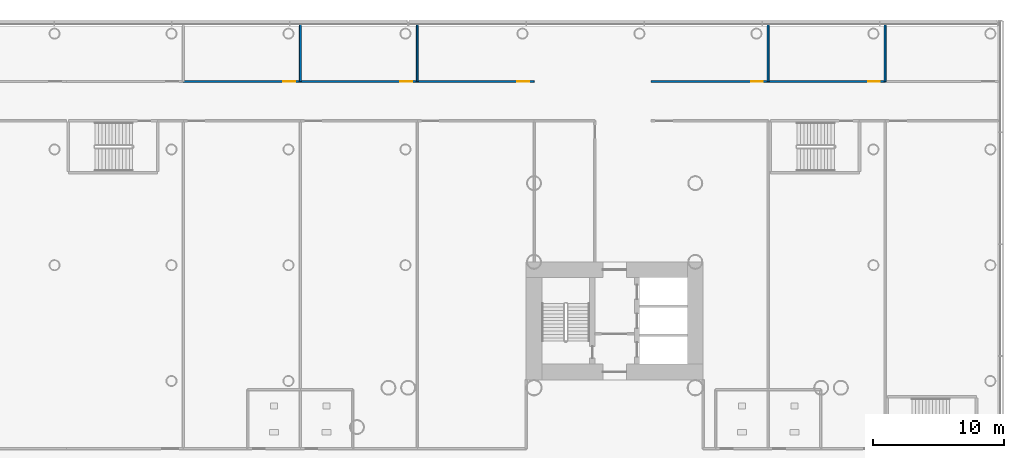
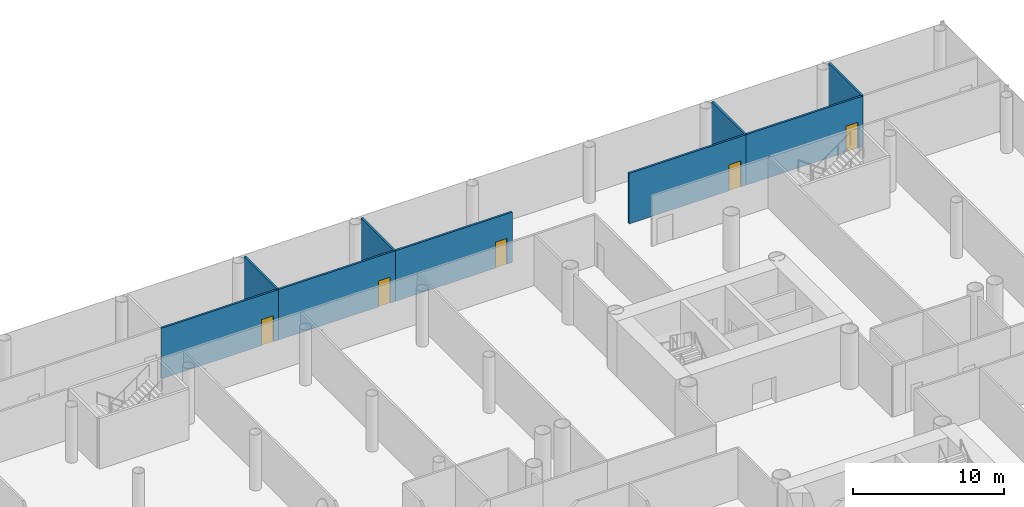
# One storey, part 25 of 51: 9 walls, 5 doors, 5 openings.
"""IFC4 building model written with IfcOpenShell, lengths in metres."""

from ifc_helpers import new_model, si_unit, direction, frame, frame_2d, origin, place, context, subcontext, project, spatial, rectangle, extrude, material, layer, layer_set, type_object, element, fill, save


model = new_model("IFC4")

# Units and contexts
model_context = context("Model", 3, precision=1e-05, world=origin(), true_north=direction((0.0, 1.0)))
body_context = subcontext(model_context, "Body", "Model", "MODEL_VIEW")
ifc_project = project(units=[si_unit("LENGTHUNIT", "METRE"), si_unit("AREAUNIT", "SQUARE_METRE"), si_unit("VOLUMEUNIT", "CUBIC_METRE"), si_unit("PLANEANGLEUNIT", "RADIAN"), si_unit("MASSUNIT", "GRAM", prefix="KILO")], contexts=[model_context])

# Site, building, storey
site_placement = place(None, origin())
site = spatial("IfcSite", under=ifc_project, at=site_placement, CompositionType="ELEMENT")
building_placement = place(site_placement, origin())
building = spatial("IfcBuilding", under=site, at=building_placement, Name="Ipe Terrace Towers", CompositionType="ELEMENT")
storey_placement = place(building_placement, frame((0.0, 0.0, 15.5)))
storey = spatial("IfcBuildingStorey", under=building, at=storey_placement, Name="L03", CompositionType="ELEMENT", Elevation=15.5)

# Wall, opening, door
ifc_material_1 = material(Name="Gypsum board partition", Category="plasterboard")
ifc_layer = layer(ifc_material_1, 0.14990234375)
ifc_layer_set = layer_set([ifc_layer], Name="Gypsum board partition 150 mm")
wall_type = type_object("IfcWallType", Name="Gypsum board partition 150 mm", PredefinedType="PARTITIONING", material=ifc_layer_set)
wall_1_placement = place(storey_placement, frame((12.030029296875, 29.5, 0.0), z_axis=(0.0, 0.0, 1.0), x_axis=(-1.0, 0.0, 0.0)))
wall_1 = element("IfcWall", 1, at=wall_1_placement, inside=storey, type_object=wall_type, Name="Gypsum board partition T2 L03 pd-r35-w18", PredefinedType="PARTITIONING", context=body_context, shape_type="SweptSolid", body=[
    extrude(rectangle(XDim=8.919921875, YDim=0.14990234375, at=frame_2d((4.4599609375, 0.0))), origin(), (0.0, 0.0, 1.0), 4.080078125),
])
opening_1_placement = place(wall_1_placement, frame((0.39990234375, 0.0, 0.0)))
opening_1 = element("IfcOpeningElement", 2, at=opening_1_placement, cuts=wall_1, Name="Opening PD-L03-r35", PredefinedType="OPENING", context=body_context, shape_type="SweptSolid", body=[
    extrude(rectangle(XDim=0.89990234375, YDim=2.10009765625, at=frame_2d((0.449951171875, 1.050048828125))), frame((0.0, 0.0849609375, 0.0), z_axis=(0.0, -1.0, 0.0), x_axis=(1.0, 0.0, 0.0)), (0.0, 0.0, 1.0), 0.169921875),
])
ifc_material_2 = material(Name="Fire-rated timber door leaf", Category="wood")
door_type = type_object("IfcDoorType", Name="Lounge door 900 x 2100 FD30S", OperationType="NOTDEFINED", PredefinedType="DOOR", material=ifc_material_2)
door_1_placement = place(opening_1_placement, origin())
door_1 = element("IfcDoor", 3, at=door_1_placement, inside=storey, type_object=door_type, Name="Lounge door PD-L03-r35", OperationType="SINGLE_SWING_RIGHT", OverallHeight=2.10009765625, OverallWidth=0.89990234375, PredefinedType="DOOR", context=body_context, shape_type="SweptSolid", body=[
    extrude(rectangle(XDim=0.89990234375, YDim=2.10009765625, at=frame_2d((0.449951171875, 1.050048828125))), frame((0.0, 0.02490234375, 0.0), z_axis=(0.0, -1.0, 0.0), x_axis=(1.0, 0.0, 0.0)), (0.0, 0.0, 1.0), 0.050048828125),
])
fill(opening_1, door_1)

# Wall
wall_2_placement = place(storey_placement, frame((12.030029296875, 33.85009765625, 0.0), z_axis=(0.0, 0.0, 1.0), x_axis=(0.0, -1.0, 0.0)))
element("IfcWall", 4, at=wall_2_placement, inside=storey, type_object=wall_type, Name="Gypsum board partition T2 L03 pd-r35-r38-w19", PredefinedType="PARTITIONING", context=body_context, shape_type="SweptSolid", body=[
    extrude(rectangle(XDim=4.35009765625, YDim=0.14990234375, at=frame_2d((2.175048828125, 0.0))), origin(), (0.0, 0.0, 1.0), 4.080078125),
])

# Wall, opening, door
wall_3_placement = place(storey_placement, frame((20.949951171875, 29.5, 0.0), z_axis=(0.0, 0.0, 1.0), x_axis=(-1.0, 0.0, 0.0)))
wall_3 = element("IfcWall", 5, at=wall_3_placement, inside=storey, type_object=wall_type, Name="Gypsum board partition T2 L03 pd-r38-w25", PredefinedType="PARTITIONING", context=body_context, shape_type="SweptSolid", body=[
    extrude(rectangle(XDim=8.919921875, YDim=0.14990234375, at=frame_2d((4.4599609375, 0.0))), origin(), (0.0, 0.0, 1.0), 4.080078125),
])
opening_2_placement = place(wall_3_placement, frame((0.39990234375, 0.0, 0.0)))
opening_2 = element("IfcOpeningElement", 6, at=opening_2_placement, cuts=wall_3, Name="Opening PD-L03-r38", PredefinedType="OPENING", context=body_context, shape_type="SweptSolid", body=[
    extrude(rectangle(XDim=0.89990234375, YDim=2.10009765625, at=frame_2d((0.449951171875, 1.050048828125))), frame((0.0, 0.0849609375, 0.0), z_axis=(0.0, -1.0, 0.0), x_axis=(1.0, 0.0, 0.0)), (0.0, 0.0, 1.0), 0.169921875),
])
door_2_placement = place(opening_2_placement, origin())
door_2 = element("IfcDoor", 7, at=door_2_placement, inside=storey, type_object=door_type, Name="Lounge door PD-L03-r38", OperationType="SINGLE_SWING_RIGHT", OverallHeight=2.10009765625, OverallWidth=0.89990234375, PredefinedType="DOOR", context=body_context, shape_type="SweptSolid", body=[
    extrude(rectangle(XDim=0.89990234375, YDim=2.10009765625, at=frame_2d((0.449951171875, 1.050048828125))), frame((0.0, 0.02490234375, 0.0), z_axis=(0.0, -1.0, 0.0), x_axis=(1.0, 0.0, 0.0)), (0.0, 0.0, 1.0), 0.050048828125),
])
fill(opening_2, door_2)

# Wall
wall_4_placement = place(storey_placement, frame((20.949951171875, 33.85009765625, 0.0), z_axis=(0.0, 0.0, 1.0), x_axis=(0.0, -1.0, 0.0)))
element("IfcWall", 8, at=wall_4_placement, inside=storey, type_object=wall_type, Name="Gypsum board partition T2 L03 pd-r38-r43-w26", PredefinedType="PARTITIONING", context=body_context, shape_type="SweptSolid", body=[
    extrude(rectangle(XDim=4.35009765625, YDim=0.14990234375, at=frame_2d((2.175048828125, 0.0))), origin(), (0.0, 0.0, 1.0), 4.080078125),
])

# Wall, opening, door
wall_5_placement = place(storey_placement, frame((29.8701171875, 29.5, 0.0), z_axis=(0.0, 0.0, 1.0), x_axis=(-1.0, 0.0, 0.0)))
wall_5 = element("IfcWall", 9, at=wall_5_placement, inside=storey, type_object=wall_type, Name="Gypsum board partition T2 L03 pd-r43-w40", PredefinedType="PARTITIONING", context=body_context, shape_type="SweptSolid", body=[
    extrude(rectangle(XDim=8.920166015625, YDim=0.14990234375, at=frame_2d((4.4599609375, 0.0))), origin(), (0.0, 0.0, 1.0), 4.080078125),
])
opening_3_placement = place(wall_5_placement, frame((0.39990234375, 0.0, 0.0)))
opening_3 = element("IfcOpeningElement", 10, at=opening_3_placement, cuts=wall_5, Name="Opening PD-L03-r43", PredefinedType="OPENING", context=body_context, shape_type="SweptSolid", body=[
    extrude(rectangle(XDim=0.89990234375, YDim=2.10009765625, at=frame_2d((0.449951171875, 1.050048828125))), frame((0.0, 0.0849609375, 0.0), z_axis=(0.0, -1.0, 0.0), x_axis=(1.0, 0.0, 0.0)), (0.0, 0.0, 1.0), 0.169921875),
])
door_3_placement = place(opening_3_placement, origin())
door_3 = element("IfcDoor", 11, at=door_3_placement, inside=storey, type_object=door_type, Name="Lounge door PD-L03-r43", OperationType="SINGLE_SWING_RIGHT", OverallHeight=2.10009765625, OverallWidth=0.89990234375, PredefinedType="DOOR", context=body_context, shape_type="SweptSolid", body=[
    extrude(rectangle(XDim=0.89990234375, YDim=2.10009765625, at=frame_2d((0.449951171875, 1.050048828125))), frame((0.0, 0.02490234375, 0.0), z_axis=(0.0, -1.0, 0.0), x_axis=(1.0, 0.0, 0.0)), (0.0, 0.0, 1.0), 0.050048828125),
])
fill(opening_3, door_3)

wall_6_placement = place(storey_placement, frame((47.7099609375, 29.5, 0.0), z_axis=(0.0, 0.0, 1.0), x_axis=(-1.0, 0.0, 0.0)))
wall_6 = element("IfcWall", 12, at=wall_6_placement, inside=storey, type_object=wall_type, Name="Gypsum board partition T2 L03 pd-r48-w49", PredefinedType="PARTITIONING", context=body_context, shape_type="SweptSolid", body=[
    extrude(rectangle(XDim=8.919921875, YDim=0.14990234375, at=frame_2d((4.4599609375, 0.0))), origin(), (0.0, 0.0, 1.0), 4.080078125),
])
opening_4_placement = place(wall_6_placement, frame((0.39990234375, 0.0, 0.0)))
opening_4 = element("IfcOpeningElement", 13, at=opening_4_placement, cuts=wall_6, Name="Opening PD-L03-r48", PredefinedType="OPENING", context=body_context, shape_type="SweptSolid", body=[
    extrude(rectangle(XDim=0.89990234375, YDim=2.10009765625, at=frame_2d((0.449951171875, 1.050048828125))), frame((0.0, 0.0849609375, 0.0), z_axis=(0.0, -1.0, 0.0), x_axis=(1.0, 0.0, 0.0)), (0.0, 0.0, 1.0), 0.169921875),
])
door_4_placement = place(opening_4_placement, origin())
door_4 = element("IfcDoor", 14, at=door_4_placement, inside=storey, type_object=door_type, Name="Lounge door PD-L03-r48", OperationType="SINGLE_SWING_RIGHT", OverallHeight=2.10009765625, OverallWidth=0.89990234375, PredefinedType="DOOR", context=body_context, shape_type="SweptSolid", body=[
    extrude(rectangle(XDim=0.89990234375, YDim=2.10009765625, at=frame_2d((0.449951171875, 1.050048828125))), frame((0.0, 0.02490234375, 0.0), z_axis=(0.0, -1.0, 0.0), x_axis=(1.0, 0.0, 0.0)), (0.0, 0.0, 1.0), 0.050048828125),
])
fill(opening_4, door_4)

# Wall
wall_7_placement = place(storey_placement, frame((47.7099609375, 33.85009765625, 0.0), z_axis=(0.0, 0.0, 1.0), x_axis=(0.0, -1.0, 0.0)))
element("IfcWall", 15, at=wall_7_placement, inside=storey, type_object=wall_type, Name="Gypsum board partition T2 L03 pd-r48-r52-w50", PredefinedType="PARTITIONING", context=body_context, shape_type="SweptSolid", body=[
    extrude(rectangle(XDim=4.35009765625, YDim=0.14990234375, at=frame_2d((2.175048828125, 0.0))), origin(), (0.0, 0.0, 1.0), 4.080078125),
])

# Wall, opening, door
wall_8_placement = place(storey_placement, frame((56.6298828125, 29.5, 0.0), z_axis=(0.0, 0.0, 1.0), x_axis=(-1.0, 0.0, 0.0)))
wall_8 = element("IfcWall", 16, at=wall_8_placement, inside=storey, type_object=wall_type, Name="Gypsum board partition T2 L03 pd-r52-w61", PredefinedType="PARTITIONING", context=body_context, shape_type="SweptSolid", body=[
    extrude(rectangle(XDim=8.919921875, YDim=0.14990234375, at=frame_2d((4.4599609375, 0.0))), origin(), (0.0, 0.0, 1.0), 4.080078125),
])
opening_5_placement = place(wall_8_placement, frame((0.39990234375, 0.0, 0.0)))
opening_5 = element("IfcOpeningElement", 17, at=opening_5_placement, cuts=wall_8, Name="Opening PD-L03-r52", PredefinedType="OPENING", context=body_context, shape_type="SweptSolid", body=[
    extrude(rectangle(XDim=0.89990234375, YDim=2.10009765625, at=frame_2d((0.449951171875, 1.050048828125))), frame((0.0, 0.0849609375, 0.0), z_axis=(0.0, -1.0, 0.0), x_axis=(1.0, 0.0, 0.0)), (0.0, 0.0, 1.0), 0.169921875),
])
door_5_placement = place(opening_5_placement, origin())
door_5 = element("IfcDoor", 18, at=door_5_placement, inside=storey, type_object=door_type, Name="Lounge door PD-L03-r52", OperationType="SINGLE_SWING_RIGHT", OverallHeight=2.10009765625, OverallWidth=0.89990234375, PredefinedType="DOOR", context=body_context, shape_type="SweptSolid", body=[
    extrude(rectangle(XDim=0.89990234375, YDim=2.10009765625, at=frame_2d((0.449951171875, 1.050048828125))), frame((0.0, 0.02490234375, 0.0), z_axis=(0.0, -1.0, 0.0), x_axis=(1.0, 0.0, 0.0)), (0.0, 0.0, 1.0), 0.050048828125),
])
fill(opening_5, door_5)

# Wall
wall_9_placement = place(storey_placement, frame((56.6298828125, 33.85009765625, 0.0), z_axis=(0.0, 0.0, 1.0), x_axis=(0.0, -1.0, 0.0)))
element("IfcWall", 19, at=wall_9_placement, inside=storey, type_object=wall_type, Name="Gypsum board partition T2 L03 pd-r52-r57-w62", PredefinedType="PARTITIONING", context=body_context, shape_type="SweptSolid", body=[
    extrude(rectangle(XDim=4.35009765625, YDim=0.14990234375, at=frame_2d((2.175048828125, 0.0))), origin(), (0.0, 0.0, 1.0), 4.080078125),
])

save(model, "model.ifc")
